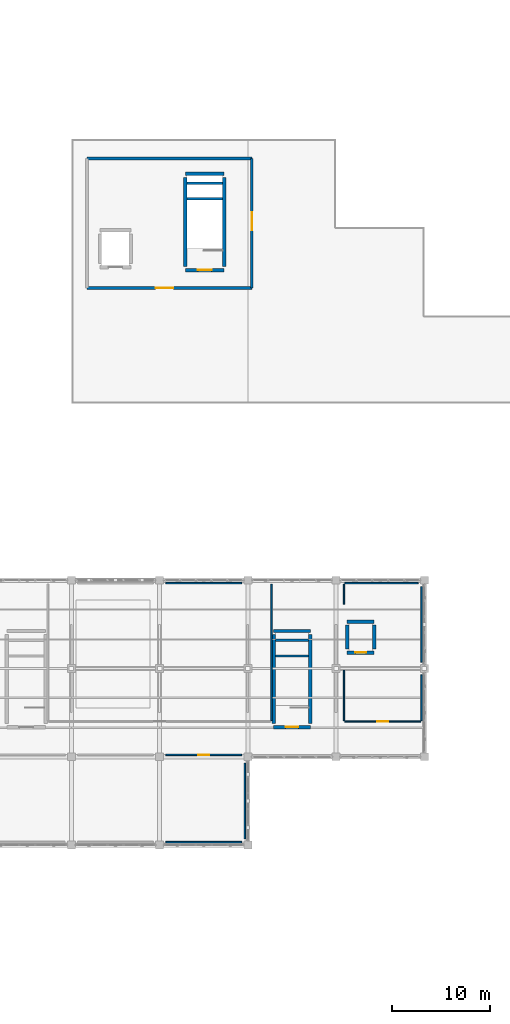
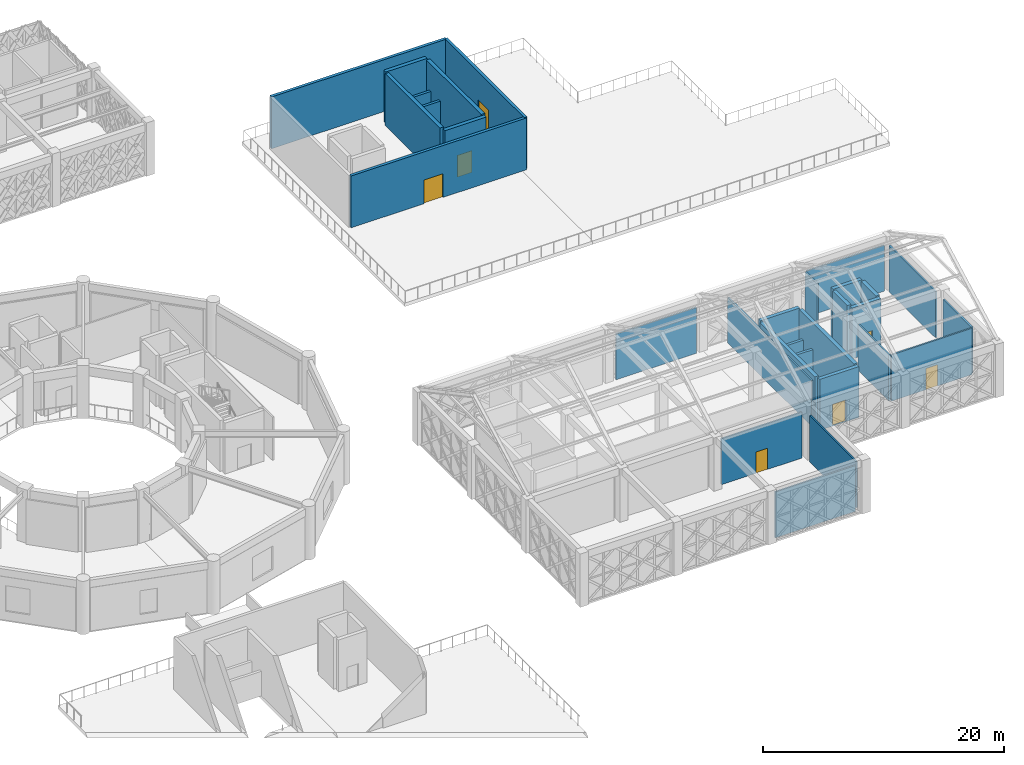
# One storey, part 74 of 86: 30 walls, 7 doors, 7 openings.
"""IFC4 building model written with IfcOpenShell, lengths in metres."""

from ifc_helpers import new_model, si_unit, direction, frame, frame_2d, origin, place, context, subcontext, project, spatial, rectangle, extrude, material, layer, layer_set, type_object, element, fill, save


model = new_model("IFC4")

# Units and contexts
model_context = context("Model", 3, precision=1e-05, world=origin(), true_north=direction((0.0, 1.0)))
body_context = subcontext(model_context, "Body", "Model", "MODEL_VIEW")
ifc_project = project(units=[si_unit("LENGTHUNIT", "METRE"), si_unit("AREAUNIT", "SQUARE_METRE"), si_unit("VOLUMEUNIT", "CUBIC_METRE"), si_unit("PLANEANGLEUNIT", "RADIAN"), si_unit("MASSUNIT", "GRAM", prefix="KILO")], contexts=[model_context])

# Site, building, storey
site_placement = place(None, origin())
site = spatial("IfcSite", under=ifc_project, at=site_placement, CompositionType="ELEMENT")
building_placement = place(site_placement, origin())
building = spatial("IfcBuilding", under=site, at=building_placement, Name="Haizhuo Lancet Aquarium", CompositionType="ELEMENT")
storey_placement = place(building_placement, frame((0.0, 0.0, 16.199951171875)))
storey = spatial("IfcBuildingStorey", under=building, at=storey_placement, Name="L03", CompositionType="ELEMENT", Elevation=16.199951171875)

# Wall
ifc_material_1 = material(Name="Shandong Grey Limestone Ashlar", Category="masonry")
ifc_layer_1 = layer(ifc_material_1, 0.280029296875)
ifc_layer_set_1 = layer_set([ifc_layer_1], Name="Shandong Grey Limestone Ashlar")
wall_type_1 = type_object("IfcWallType", Name="EWL-ASH-280", PredefinedType="SOLIDWALL", material=ifc_layer_set_1)
wall_1_placement = place(storey_placement, frame((37.60009765625, 34.0, 0.0), z_axis=(0.0, 0.0, 1.0), x_axis=(1.0, 0.0, 0.0)))
element("IfcWall", 1, at=wall_1_placement, inside=storey, type_object=wall_type_1, Name="L03 V7 roof garden pavilion wall 1", PredefinedType="SOLIDWALL", context=body_context, shape_type="SweptSolid", body=[
    extrude(rectangle(XDim=16.7998046875, YDim=0.280029296875, at=frame_2d((8.39990234375, 0.0))), origin(), (0.0, 0.0, 1.0), 5.25),
])

# Wall, opening, door
wall_2_placement = place(storey_placement, frame((54.39990234375, 34.0, 0.0), z_axis=(0.0, 0.0, 1.0), x_axis=(0.0, -1.0, 0.0)))
wall_2 = element("IfcWall", 2, at=wall_2_placement, inside=storey, type_object=wall_type_1, Name="L03 V7 roof garden pavilion wall 2", PredefinedType="SOLIDWALL", context=body_context, shape_type="SweptSolid", body=[
    extrude(rectangle(XDim=13.199951171875, YDim=0.280029296875, at=frame_2d((6.60009765625, 0.0))), origin(), (0.0, 0.0, 1.0), 5.25),
])
opening_1_placement = place(wall_2_placement, frame((5.5, 0.0, 0.0)))
opening_1 = element("IfcOpeningElement", 3, at=opening_1_placement, cuts=wall_2, Name="Opening TD-02", PredefinedType="OPENING", context=body_context, shape_type="SweptSolid", body=[
    extrude(rectangle(XDim=1.800048828125, YDim=2.39990234375, at=frame_2d((0.89990234375, 1.199951171875))), frame((0.0, 0.14990234375, 0.0), z_axis=(0.0, -1.0, 0.0), x_axis=(1.0, 0.0, 0.0)), (0.0, 0.0, 1.0), 0.300029),
])
ifc_material_2 = material(Name="Aluminium 6063-T6", Category="aluminium")
door_type_1 = type_object("IfcDoorType", Name="EDR-TERR-1800x2400", OperationType="NOTDEFINED", PredefinedType="DOOR", material=ifc_material_2)
door_1_placement = place(opening_1_placement, origin())
door_1 = element("IfcDoor", 4, at=door_1_placement, inside=storey, type_object=door_type_1, Name="L03 V7 east planted roof garden access door 2", OperationType="DOUBLE_DOOR_SINGLE_SWING", OverallHeight=2.39990234375, OverallWidth=1.800048828125, PredefinedType="DOOR", context=body_context, shape_type="SweptSolid", body=[
    extrude(rectangle(XDim=1.800048828125, YDim=2.39990234375, at=frame_2d((0.89990234375, 1.199951171875))), frame((0.0, 0.02490234375, 0.0), z_axis=(0.0, -1.0, 0.0), x_axis=(1.0, 0.0, 0.0)), (0.0, 0.0, 1.0), 0.050048828125),
])
fill(opening_1, door_1)

wall_3_placement = place(storey_placement, frame((54.39990234375, 20.800048828125, 0.0), z_axis=(0.0, 0.0, 1.0), x_axis=(-1.0, 0.0, 0.0)))
wall_3 = element("IfcWall", 5, at=wall_3_placement, inside=storey, type_object=wall_type_1, Name="L03 V7 roof garden pavilion wall 3", PredefinedType="SOLIDWALL", context=body_context, shape_type="SweptSolid", body=[
    extrude(rectangle(XDim=16.7998046875, YDim=0.280029296875, at=frame_2d((8.39990234375, 0.0))), origin(), (0.0, 0.0, 1.0), 5.25),
])
opening_2_placement = place(wall_3_placement, frame((8.0, 0.0, 0.0)))
opening_2 = element("IfcOpeningElement", 6, at=opening_2_placement, cuts=wall_3, Name="Opening TD-02", PredefinedType="OPENING", context=body_context, shape_type="SweptSolid", body=[
    extrude(rectangle(XDim=1.800048828125, YDim=2.39990234375, at=frame_2d((0.89990234375, 1.199951171875))), frame((0.0, 0.14990234375, 0.0), z_axis=(0.0, -1.0, 0.0), x_axis=(1.0, 0.0, 0.0)), (0.0, 0.0, 1.0), 0.300029),
])
door_2_placement = place(opening_2_placement, origin())
door_2 = element("IfcDoor", 7, at=door_2_placement, inside=storey, type_object=door_type_1, Name="L03 V7 south planted roof garden access door 1", OperationType="DOUBLE_DOOR_SINGLE_SWING", OverallHeight=2.39990234375, OverallWidth=1.800048828125, PredefinedType="DOOR", context=body_context, shape_type="SweptSolid", body=[
    extrude(rectangle(XDim=1.800048828125, YDim=2.39990234375, at=frame_2d((0.89990234375, 1.199951171875))), frame((0.0, 0.02490234375, 0.0), z_axis=(0.0, -1.0, 0.0), x_axis=(1.0, 0.0, 0.0)), (0.0, 0.0, 1.0), 0.050048828125),
])
fill(opening_2, door_2)

# Walls
ifc_material_3 = material(Name="Gypsum Fireboard Partition")
ifc_layer_2 = layer(ifc_material_3, 0.14990234375)
ifc_layer_set_2 = layer_set([ifc_layer_2], Name="Gypsum Fireboard Partition")
wall_type_2 = type_object("IfcWallType", Name="IWL-STD-150", PredefinedType="PARTITIONING", material=ifc_layer_set_2)
wall_4_placement = place(storey_placement, frame((56.39990234375, -23.300048828125, 0.0), z_axis=(0.0, 0.0, 1.0), x_axis=(0.0, 1.0, 0.0)))
element("IfcWall", 8, at=wall_4_placement, inside=storey, type_object=wall_type_2, Name="L03 partition wall 474", PredefinedType="PARTITIONING", context=body_context, shape_type="SweptSolid", body=[
    extrude(rectangle(XDim=13.900146484375, YDim=0.14990234375, at=frame_2d((6.9501953125, 0.0))), origin(), (0.0, 0.0, 1.0), 4.635009765625),
])
wall_5_placement = place(storey_placement, frame((53.35009765625, -9.300048828125, 0.0), z_axis=(0.0, 0.0, 1.0), x_axis=(-1.0, 0.0, 0.0)))
element("IfcWall", 9, at=wall_5_placement, inside=storey, type_object=wall_type_2, Name="L03 partition wall 475", PredefinedType="PARTITIONING", context=body_context, shape_type="SweptSolid", body=[
    extrude(rectangle(XDim=7.7001953125, YDim=0.14990234375, at=frame_2d((3.85009765625, 0.0))), origin(), (0.0, 0.0, 1.0), 4.635009765625),
])
wall_6_placement = place(storey_placement, frame((71.35009765625, -9.300048828125, 0.0), z_axis=(0.0, 0.0, 1.0), x_axis=(-1.0, 0.0, 0.0)))
element("IfcWall", 10, at=wall_6_placement, inside=storey, type_object=wall_type_2, Name="L03 partition wall 477", PredefinedType="PARTITIONING", context=body_context, shape_type="SweptSolid", body=[
    extrude(rectangle(XDim=7.4501953125, YDim=0.14990234375, at=frame_2d((3.72509765625, 0.0))), origin(), (0.0, 0.0, 1.0), 4.635009765625),
])
wall_7_placement = place(storey_placement, frame((63.800048828125, -9.39990234375, 0.0), z_axis=(0.0, 0.0, 1.0), x_axis=(0.0, -1.0, 0.0)))
element("IfcWall", 11, at=wall_7_placement, inside=storey, type_object=wall_type_2, Name="L03 partition wall 478", PredefinedType="PARTITIONING", context=body_context, shape_type="SweptSolid", body=[
    extrude(rectangle(XDim=2.025146484375, YDim=0.14990234375, at=frame_2d((1.0126953125, 0.0))), origin(), (0.0, 0.0, 1.0), 4.635009765625),
])
wall_8_placement = place(storey_placement, frame((63.800048828125, -18.175048828125, 0.0), z_axis=(0.0, 0.0, 1.0), x_axis=(0.0, -1.0, 0.0)))
element("IfcWall", 12, at=wall_8_placement, inside=storey, type_object=wall_type_2, Name="L03 partition wall 479", PredefinedType="PARTITIONING", context=body_context, shape_type="SweptSolid", body=[
    extrude(rectangle(XDim=5.125, YDim=0.14990234375, at=frame_2d((2.5625, 0.0))), origin(), (0.0, 0.0, 1.0), 4.635009765625),
])

# Wall, opening, door
wall_9_placement = place(storey_placement, frame((63.89990234375, -23.39990234375, 0.0), z_axis=(0.0, 0.0, 1.0), x_axis=(1.0, 0.0, 0.0)))
wall_9 = element("IfcWall", 13, at=wall_9_placement, inside=storey, type_object=wall_type_2, Name="L03 partition wall 480", PredefinedType="PARTITIONING", context=body_context, shape_type="SweptSolid", body=[
    extrude(rectangle(XDim=7.7001953125, YDim=0.14990234375, at=frame_2d((3.85009765625, 0.0))), origin(), (0.0, 0.0, 1.0), 4.68505859375),
])
opening_3_placement = place(wall_9_placement, frame((3.300048828125, 0.0, 0.0)))
opening_3 = element("IfcOpeningElement", 14, at=opening_3_placement, cuts=wall_9, Name="Opening D-05", PredefinedType="OPENING", context=body_context, shape_type="SweptSolid", body=[
    extrude(rectangle(XDim=1.10009765625, YDim=2.14990234375, at=frame_2d((0.550048828125, 1.074951171875))), frame((0.0, 0.0849609375, 0.0), z_axis=(0.0, -1.0, 0.0), x_axis=(1.0, 0.0, 0.0)), (0.0, 0.0, 1.0), 0.169902),
])
door_type_2 = type_object("IfcDoorType", Name="IDR-CLS-1100x2150", OperationType="NOTDEFINED", PredefinedType="DOOR", material=ifc_material_2)
door_3_placement = place(opening_3_placement, origin())
door_3 = element("IfcDoor", 15, at=door_3_placement, inside=storey, type_object=door_type_2, Name="L03 Acoustic Bioacoustics Seminar Room door", OperationType="SINGLE_SWING_LEFT", OverallHeight=2.14990234375, OverallWidth=1.10009765625, PredefinedType="DOOR", context=body_context, shape_type="SweptSolid", body=[
    extrude(rectangle(XDim=1.10009765625, YDim=2.14990234375, at=frame_2d((0.550048828125, 1.074951171875))), frame((0.0, 0.02490234375, 0.0), z_axis=(0.0, -1.0, 0.0), x_axis=(1.0, 0.0, 0.0)), (0.0, 0.0, 1.0), 0.050048828125),
])
fill(opening_3, door_3)

# Walls
wall_10_placement = place(storey_placement, frame((71.699951171875, -23.300048828125, 0.0), z_axis=(0.0, 0.0, 1.0), x_axis=(0.0, 1.0, 0.0)))
element("IfcWall", 16, at=wall_10_placement, inside=storey, type_object=wall_type_2, Name="L03 partition wall 481", PredefinedType="PARTITIONING", context=body_context, shape_type="SweptSolid", body=[
    extrude(rectangle(XDim=4.650146484375, YDim=0.14990234375, at=frame_2d((2.3251953125, 0.0))), origin(), (0.0, 0.0, 1.0), 4.68505859375),
])
wall_11_placement = place(storey_placement, frame((71.699951171875, -17.35009765625, 0.0), z_axis=(0.0, 0.0, 1.0), x_axis=(0.0, 1.0, 0.0)))
element("IfcWall", 17, at=wall_11_placement, inside=storey, type_object=wall_type_2, Name="L03 partition wall 482", PredefinedType="PARTITIONING", context=body_context, shape_type="SweptSolid", body=[
    extrude(rectangle(XDim=7.7001953125, YDim=0.14990234375, at=frame_2d((3.85009765625, 0.0))), origin(), (0.0, 0.0, 1.0), 4.68505859375),
])
wall_12_placement = place(storey_placement, frame((45.64990234375, -35.699951171875, 0.0), z_axis=(0.0, 0.0, 1.0), x_axis=(1.0, 0.0, 0.0)))
element("IfcWall", 18, at=wall_12_placement, inside=storey, type_object=wall_type_2, Name="L03 partition wall 486", PredefinedType="PARTITIONING", context=body_context, shape_type="SweptSolid", body=[
    extrude(rectangle(XDim=7.7001953125, YDim=0.14990234375, at=frame_2d((3.85009765625, 0.0))), origin(), (0.0, 0.0, 1.0), 4.635009765625),
])
wall_13_placement = place(storey_placement, frame((53.696044921875, -35.360107421875, 0.0), z_axis=(0.0, 0.0, 1.0), x_axis=(0.00050663367, 0.999999871661, 0.0)))
element("IfcWall", 19, at=wall_13_placement, inside=storey, type_object=wall_type_2, Name="L03 partition wall 487", PredefinedType="PARTITIONING", context=body_context, shape_type="SweptSolid", body=[
    extrude(rectangle(XDim=7.710205078125, YDim=0.14990234375, at=frame_2d((3.85498046875, 0.0))), origin(), (0.0, 0.0, 1.0), 4.68505859375),
])

# Wall, opening, door
wall_14_placement = place(storey_placement, frame((53.360107421875, -26.803955078125, 0.0), z_axis=(0.0, 0.0, 1.0), x_axis=(-0.999999871994, 0.000505976787, 0.0)))
wall_14 = element("IfcWall", 20, at=wall_14_placement, inside=storey, type_object=wall_type_2, Name="L03 partition wall 488", PredefinedType="PARTITIONING", context=body_context, shape_type="SweptSolid", body=[
    extrude(rectangle(XDim=7.72021484375, YDim=0.14990234375, at=frame_2d((3.860107421875, 0.0))), origin(), (0.0, 0.0, 1.0), 4.635009765625),
])
opening_4_placement = place(wall_14_placement, frame((3.31005859375, 0.0, 0.0)))
opening_4 = element("IfcOpeningElement", 21, at=opening_4_placement, cuts=wall_14, Name="Opening D-05", PredefinedType="OPENING", context=body_context, shape_type="SweptSolid", body=[
    extrude(rectangle(XDim=1.10009765625, YDim=2.14990234375, at=frame_2d((0.550048828125, 1.074951171875))), frame((0.0, 0.0849609375, 0.0), z_axis=(0.0, -1.0, 0.0), x_axis=(1.0, 0.0, 0.0)), (0.0, 0.0, 1.0), 0.169902),
])
door_4_placement = place(opening_4_placement, origin())
door_4 = element("IfcDoor", 22, at=door_4_placement, inside=storey, type_object=door_type_2, Name="L03 Teacher Resource Studio door", OperationType="SINGLE_SWING_RIGHT", OverallHeight=2.14990234375, OverallWidth=1.10009765625, PredefinedType="DOOR", context=body_context, shape_type="SweptSolid", body=[
    extrude(rectangle(XDim=1.10009765625, YDim=2.14990234375, at=frame_2d((0.550048828125, 1.074951171875))), frame((0.0, 0.02490234375, 0.0), z_axis=(0.0, -1.0, 0.0), x_axis=(1.0, 0.0, 0.0)), (0.0, 0.0, 1.0), 0.050048828125),
])
fill(opening_4, door_4)

# Walls
ifc_material_4 = material(Name="Concrete C40/50", Category="concrete")
ifc_layer_3 = layer(ifc_material_4, 0.35009765625)
ifc_layer_set_3 = layer_set([ifc_layer_3], Name="Concrete C40/50")
wall_type_3 = type_object("IfcWallType", Name="WL-CORE-350", PredefinedType="SHEAR", material=ifc_layer_set_3)
for number, where, z_axis, x_axis, name in (
    (23, (56.800048828125, -16.72509765625, 0.0), (0.0, 0.0, 1.0), (1.0, 0.0, 0.0), "L03 ST-05 landing support wall"),
    (24, (56.800048828125, -15.125, 0.0), (0.0, 0.0, 1.0), (1.0, 0.0, 0.0), "L03 ST-05 far landing support wall"),
):
    element("IfcWall", number, at=place(storey_placement, frame(where, z_axis=z_axis, x_axis=x_axis)), inside=storey, type_object=wall_type_3, Name=name, PredefinedType="SHEAR", context=body_context, shape_type="SweptSolid", body=[
        extrude(rectangle(XDim=3.39990234375, YDim=0.25, at=frame_2d((1.699951171875, 0.0))), origin(), (0.0, 0.0, 1.0), 2.5),
    ])

# Wall, opening, door
wall_15_placement = place(storey_placement, frame((56.625, -23.97509765625, 0.0), z_axis=(0.0, 0.0, 1.0), x_axis=(1.0, 0.0, 0.0)))
wall_15 = element("IfcWall", 25, at=wall_15_placement, inside=storey, type_object=wall_type_3, Name="L03 ST-05 core shear wall S", PredefinedType="SHEAR", context=body_context, shape_type="SweptSolid", body=[
    extrude(rectangle(XDim=3.75, YDim=0.35009765625, at=frame_2d((1.875, 0.0))), origin(), (0.0, 0.0, 1.0), 5.150146484375),
])
opening_5_placement = place(wall_15_placement, frame((1.22509765625, 0.0, 0.0)))
opening_5 = element("IfcOpeningElement", 26, at=opening_5_placement, cuts=wall_15, Name="Opening FD-02", PredefinedType="OPENING", context=body_context, shape_type="SweptSolid", body=[
    extrude(rectangle(XDim=1.300048828125, YDim=2.199951171875, at=frame_2d((0.64990234375, 1.10009765625))), frame((0.0, 0.18505859375, 0.0), z_axis=(0.0, -1.0, 0.0), x_axis=(1.0, 0.0, 0.0)), (0.0, 0.0, 1.0), 0.370098),
])
ifc_material_5 = material(Name="Steel S355", Category="steel")
door_type_3 = type_object("IfcDoorType", Name="IDR-STAIR-1300x2200", OperationType="NOTDEFINED", PredefinedType="DOOR", material=ifc_material_5)
door_5_placement = place(opening_5_placement, origin())
door_5 = element("IfcDoor", 27, at=door_5_placement, inside=storey, type_object=door_type_3, Name="L03 ST-05 stairwell fire door", OperationType="SINGLE_SWING_LEFT", OverallHeight=2.199951171875, OverallWidth=1.300048828125, PredefinedType="DOOR", context=body_context, shape_type="SweptSolid", body=[
    extrude(rectangle(XDim=1.300048828125, YDim=2.199951171875, at=frame_2d((0.64990234375, 1.10009765625))), frame((0.0, 0.02490234375, 0.0), z_axis=(0.0, -1.0, 0.0), x_axis=(1.0, 0.0, 0.0)), (0.0, 0.0, 1.0), 0.050048828125),
])
fill(opening_5, door_5)

# Walls
wall_16_placement = place(storey_placement, frame((56.625, -14.175048828125, 0.0), z_axis=(0.0, 0.0, 1.0), x_axis=(1.0, 0.0, 0.0)))
element("IfcWall", 28, at=wall_16_placement, inside=storey, type_object=wall_type_3, Name="L03 ST-05 core shear wall N", PredefinedType="SHEAR", context=body_context, shape_type="SweptSolid", body=[
    extrude(rectangle(XDim=3.75, YDim=0.35009765625, at=frame_2d((1.875, 0.0))), origin(), (0.0, 0.0, 1.0), 5.150146484375),
])
for number, where, z_axis, x_axis, name in (
    (29, (56.625, -23.625, 0.0), (0.0, 0.0, 1.0), (0.0, 1.0, 0.0), "L03 ST-05 core shear wall W"),
    (30, (60.375, -23.625, 0.0), (0.0, 0.0, 1.0), (0.0, 1.0, 0.0), "L03 ST-05 core shear wall E"),
):
    element("IfcWall", number, at=place(storey_placement, frame(where, z_axis=z_axis, x_axis=x_axis)), inside=storey, type_object=wall_type_3, Name=name, PredefinedType="SHEAR", context=body_context, shape_type="SweptSolid", body=[
        extrude(rectangle(XDim=9.10009765625, YDim=0.35009765625, at=frame_2d((4.550048828125, 0.0))), origin(), (0.0, 0.0, 1.0), 5.150146484375),
    ])
for number, where, z_axis, x_axis, name in (
    (31, (47.800048828125, 29.875, 0.0), (0.0, 0.0, 1.0), (1.0, 0.0, 0.0), "L03 ST-10 landing support wall"),
    (32, (47.800048828125, 31.47509765625, 0.0), (0.0, 0.0, 1.0), (1.0, 0.0, 0.0), "L03 ST-10 far landing support wall"),
):
    element("IfcWall", number, at=place(storey_placement, frame(where, z_axis=z_axis, x_axis=x_axis)), inside=storey, type_object=wall_type_3, Name=name, PredefinedType="SHEAR", context=body_context, shape_type="SweptSolid", body=[
        extrude(rectangle(XDim=3.599853515625, YDim=0.25, at=frame_2d((1.7998046875, 0.0))), origin(), (0.0, 0.0, 1.0), 2.5),
    ])

# Wall, opening, door
wall_17_placement = place(storey_placement, frame((47.625, 22.625, 0.0), z_axis=(0.0, 0.0, 1.0), x_axis=(1.0, 0.0, 0.0)))
wall_17 = element("IfcWall", 33, at=wall_17_placement, inside=storey, type_object=wall_type_3, Name="L03 ST-10 core shear wall S", PredefinedType="SHEAR", context=body_context, shape_type="SweptSolid", body=[
    extrude(rectangle(XDim=3.949951171875, YDim=0.35009765625, at=frame_2d((1.97509765625, 0.0))), origin(), (0.0, 0.0, 1.0), 5.25),
])
opening_6_placement = place(wall_17_placement, frame((1.27490234375, 0.0, 0.0)))
opening_6 = element("IfcOpeningElement", 34, at=opening_6_placement, cuts=wall_17, Name="Opening FD-01", PredefinedType="OPENING", context=body_context, shape_type="SweptSolid", body=[
    extrude(rectangle(XDim=1.39990234375, YDim=2.199951171875, at=frame_2d((0.699951171875, 1.10009765625))), frame((0.0, 0.18505859375, 0.0), z_axis=(0.0, -1.0, 0.0), x_axis=(1.0, 0.0, 0.0)), (0.0, 0.0, 1.0), 0.370098),
])
door_type_4 = type_object("IfcDoorType", Name="IDR-STAIR-1400x2200", OperationType="NOTDEFINED", PredefinedType="DOOR", material=ifc_material_5)
door_6_placement = place(opening_6_placement, origin())
door_6 = element("IfcDoor", 35, at=door_6_placement, inside=storey, type_object=door_type_4, Name="L03 ST-10 stairwell fire door", OperationType="SINGLE_SWING_RIGHT", OverallHeight=2.199951171875, OverallWidth=1.39990234375, PredefinedType="DOOR", context=body_context, shape_type="SweptSolid", body=[
    extrude(rectangle(XDim=1.39990234375, YDim=2.199951171875, at=frame_2d((0.699951171875, 1.10009765625))), frame((0.0, 0.02490234375, 0.0), z_axis=(0.0, -1.0, 0.0), x_axis=(1.0, 0.0, 0.0)), (0.0, 0.0, 1.0), 0.050048828125),
])
fill(opening_6, door_6)

# Walls
wall_18_placement = place(storey_placement, frame((47.625, 32.425048828125, 0.0), z_axis=(0.0, 0.0, 1.0), x_axis=(1.0, 0.0, 0.0)))
element("IfcWall", 36, at=wall_18_placement, inside=storey, type_object=wall_type_3, Name="L03 ST-10 core shear wall N", PredefinedType="SHEAR", context=body_context, shape_type="SweptSolid", body=[
    extrude(rectangle(XDim=3.949951171875, YDim=0.35009765625, at=frame_2d((1.97509765625, 0.0))), origin(), (0.0, 0.0, 1.0), 5.25),
])
for number, where, z_axis, x_axis, name in (
    (37, (47.625, 22.97509765625, 0.0), (0.0, 0.0, 1.0), (0.0, 1.0, 0.0), "L03 ST-10 core shear wall W"),
    (38, (51.574951171875, 22.97509765625, 0.0), (0.0, 0.0, 1.0), (0.0, 1.0, 0.0), "L03 ST-10 core shear wall E"),
):
    element("IfcWall", number, at=place(storey_placement, frame(where, z_axis=z_axis, x_axis=x_axis)), inside=storey, type_object=wall_type_3, Name=name, PredefinedType="SHEAR", context=body_context, shape_type="SweptSolid", body=[
        extrude(rectangle(XDim=9.099853515625, YDim=0.35009765625, at=frame_2d((4.5498046875, 0.0))), origin(), (0.0, 0.0, 1.0), 5.25),
    ])

# Wall, opening, door
wall_19_placement = place(storey_placement, frame((64.125, -16.375, 0.0), z_axis=(0.0, 0.0, 1.0), x_axis=(1.0, 0.0, 0.0)))
wall_19 = element("IfcWall", 39, at=wall_19_placement, inside=storey, type_object=wall_type_3, Name="L03 LP-02 lift shaft wall -Y", PredefinedType="SHEAR", context=body_context, shape_type="SweptSolid", body=[
    extrude(rectangle(XDim=2.75, YDim=0.35009765625, at=frame_2d((1.375, 0.0))), origin(), (0.0, 0.0, 1.0), 5.150146484375),
])
opening_7_placement = place(wall_19_placement, frame((0.824951171875, 0.0, 0.0)))
opening_7 = element("IfcOpeningElement", 40, at=opening_7_placement, cuts=wall_19, Name="Opening LD-01", PredefinedType="OPENING", context=body_context, shape_type="SweptSolid", body=[
    extrude(rectangle(XDim=1.10009765625, YDim=2.199951171875, at=frame_2d((0.550048828125, 1.10009765625))), frame((0.0, 0.18505859375, 0.0), z_axis=(0.0, -1.0, 0.0), x_axis=(1.0, 0.0, 0.0)), (0.0, 0.0, 1.0), 0.370098),
])
door_type_5 = type_object("IfcDoorType", Name="IDR-LIFT-1100x2200", OperationType="NOTDEFINED", PredefinedType="DOOR", material=ifc_material_5)
door_7_placement = place(opening_7_placement, origin())
door_7 = element("IfcDoor", 41, at=door_7_placement, inside=storey, type_object=door_type_5, Name="L03 LP-02 sliding lift landing door", OperationType="DOUBLE_DOOR_SLIDING", OverallHeight=2.199951171875, OverallWidth=1.10009765625, PredefinedType="DOOR", context=body_context, shape_type="SweptSolid", body=[
    extrude(rectangle(XDim=1.10009765625, YDim=2.199951171875, at=frame_2d((0.550048828125, 1.10009765625))), frame((0.0, 0.02490234375, 0.0), z_axis=(0.0, -1.0, 0.0), x_axis=(1.0, 0.0, 0.0)), (0.0, 0.0, 1.0), 0.050048828125),
])
fill(opening_7, door_7)

# Walls
wall_20_placement = place(storey_placement, frame((66.875, -13.22509765625, 0.0), z_axis=(0.0, 0.0, 1.0), x_axis=(-1.0, 0.0, 0.0)))
element("IfcWall", 42, at=wall_20_placement, inside=storey, type_object=wall_type_3, Name="L03 LP-02 lift shaft wall +Y", PredefinedType="SHEAR", context=body_context, shape_type="SweptSolid", body=[
    extrude(rectangle(XDim=2.75, YDim=0.35009765625, at=frame_2d((1.375, 0.0))), origin(), (0.0, 0.0, 1.0), 5.150146484375),
])
for number, where, z_axis, x_axis, name in (
    (43, (64.125, -16.02490234375, 0.0), (0.0, 0.0, 1.0), (0.0, 1.0, 0.0), "L03 LP-02 lift shaft wall -X"),
    (44, (66.875, -16.02490234375, 0.0), (0.0, 0.0, 1.0), (0.0, 1.0, 0.0), "L03 LP-02 lift shaft wall +X"),
):
    element("IfcWall", number, at=place(storey_placement, frame(where, z_axis=z_axis, x_axis=x_axis)), inside=storey, type_object=wall_type_3, Name=name, PredefinedType="SHEAR", context=body_context, shape_type="SweptSolid", body=[
        extrude(rectangle(XDim=2.449951171875, YDim=0.35009765625, at=frame_2d((1.22509765625, 0.0))), origin(), (0.0, 0.0, 1.0), 5.150146484375),
    ])

save(model, "model.ifc")
